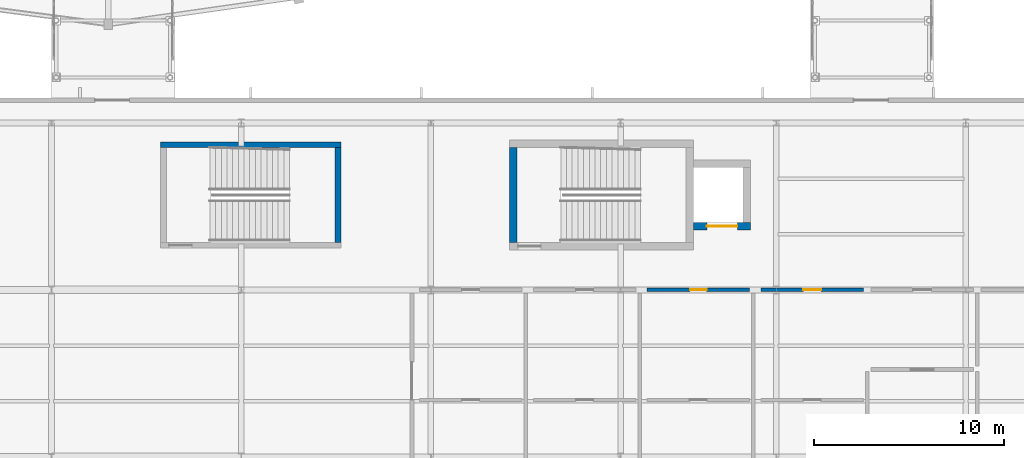
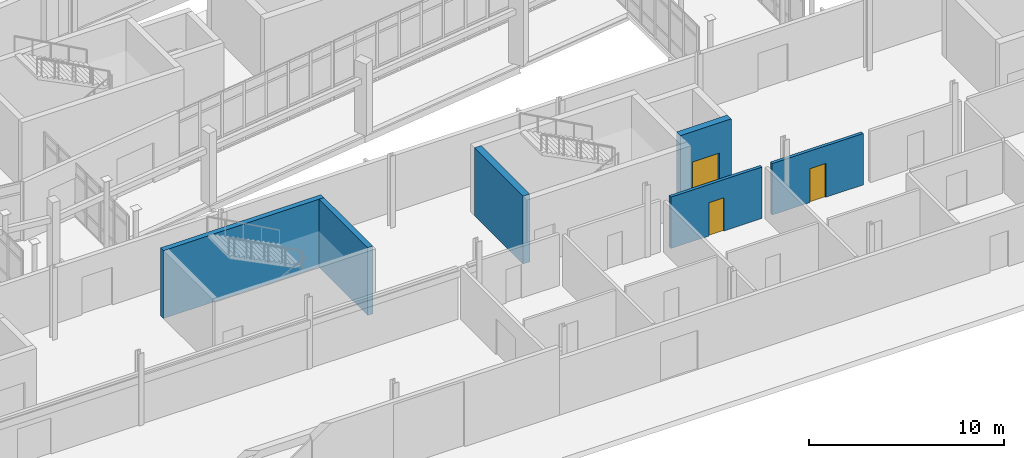
# One storey, part 101 of 122: 6 walls, 3 doors, 3 openings.
"""IFC4 building model written with IfcOpenShell, lengths in metres."""

from ifc_helpers import new_model, si_unit, direction, frame, frame_2d, origin, place, context, subcontext, project, spatial, rectangle, extrude, material, layer, layer_set, type_object, element, fill, save


model = new_model("IFC4")

# Units and contexts
model_context = context("Model", 3, precision=1e-05, world=origin(), true_north=direction((0.0, 1.0)))
body_context = subcontext(model_context, "Body", "Model", "MODEL_VIEW")
ifc_project = project(units=[si_unit("LENGTHUNIT", "METRE"), si_unit("AREAUNIT", "SQUARE_METRE"), si_unit("VOLUMEUNIT", "CUBIC_METRE"), si_unit("PLANEANGLEUNIT", "RADIAN"), si_unit("MASSUNIT", "GRAM", prefix="KILO")], contexts=[model_context])

# Site, building, storey
site_placement = place(None, origin())
site = spatial("IfcSite", under=ifc_project, at=site_placement, CompositionType="ELEMENT")
building_placement = place(site_placement, origin())
building = spatial("IfcBuilding", under=site, at=building_placement, Name="Sohan Crest Arena", CompositionType="ELEMENT")
storey_placement = place(building_placement, origin())
storey = spatial("IfcBuildingStorey", under=building, at=storey_placement, Name="L00", CompositionType="ELEMENT", Elevation=0.0)

# Wall, opening, door
ifc_material_1 = material(Name="Back-of-house masonry room partition", Category="masonry")
ifc_layer_1 = layer(ifc_material_1, 0.179931640625, Name="Back-of-house masonry room partition")
ifc_layer_set_1 = layer_set([ifc_layer_1], Name="Back-of-house masonry room partition")
wall_type_1 = type_object("IfcWallType", Name="WAL-PW05", PredefinedType="PARTITIONING", material=ifc_layer_set_1)
wall_1_placement = place(storey_placement, frame((126.39990234375, 16.0, 0.0), z_axis=(0.0, 0.0, 1.0), x_axis=(1.0, 0.0, 0.0)))
wall_1 = element("IfcWall", 1, at=wall_1_placement, inside=storey, type_object=wall_type_1, Name="Interior partition wall PW-0871", PredefinedType="PARTITIONING", context=body_context, shape_type="SweptSolid", body=[
    extrude(rectangle(XDim=5.400146484375, YDim=0.179931640625, at=frame_2d((2.7001953125, 0.0))), origin(), (0.0, 0.0, 1.0), 3.219970703125),
])
opening_1_placement = place(wall_1_placement, frame((2.260009765625, 0.0, 0.0)))
opening_1 = element("IfcOpeningElement", 2, at=opening_1_placement, cuts=wall_1, Name="Opening TD-0247", PredefinedType="OPENING", context=body_context, shape_type="SweptSolid", body=[
    extrude(rectangle(XDim=0.8798828125, YDim=2.080078125, at=frame_2d((0.43994140625, 1.0400390625))), frame((0.0, 0.099853515625, 0.0), z_axis=(0.0, -1.0, 0.0), x_axis=(1.0, 0.0, 0.0)), (0.0, 0.0, 1.0), 0.199951171875),
])
ifc_material_2 = material(Name="Solid oak acoustic room door", Category="wood")
door_type_1 = type_object("IfcDoorType", Name="DR-ID07", OperationType="NOTDEFINED", PredefinedType="DOOR", material=ifc_material_2)
door_1_placement = place(opening_1_placement, origin())
door_1 = element("IfcDoor", 3, at=door_1_placement, inside=storey, type_object=door_type_1, Name="Team dressing suite 3 door TD-0247", OperationType="SINGLE_SWING_LEFT", OverallHeight=2.080078125, OverallWidth=0.8798828125, PredefinedType="DOOR", context=body_context, shape_type="SweptSolid", body=[
    extrude(rectangle(XDim=0.8798828125, YDim=2.080078125, at=frame_2d((0.43994140625, 1.0400390625))), frame((0.0, 0.02490234375, 0.0), z_axis=(0.0, -1.0, 0.0), x_axis=(1.0, 0.0, 0.0)), (0.0, 0.0, 1.0), 0.050048828125),
])
fill(opening_1, door_1)

wall_2_placement = place(storey_placement, frame((132.39990234375, 16.0, 0.0), z_axis=(0.0, 0.0, 1.0), x_axis=(1.0, 0.0, 0.0)))
wall_2 = element("IfcWall", 4, at=wall_2_placement, inside=storey, type_object=wall_type_1, Name="Interior partition wall PW-0873", PredefinedType="PARTITIONING", context=body_context, shape_type="SweptSolid", body=[
    extrude(rectangle(XDim=5.400146484375, YDim=0.179931640625, at=frame_2d((2.7001953125, 0.0))), origin(), (0.0, 0.0, 1.0), 3.219970703125),
])
opening_2_placement = place(wall_2_placement, frame((2.22998046875, 0.0, 0.0)))
opening_2 = element("IfcOpeningElement", 5, at=opening_2_placement, cuts=wall_2, Name="Opening TD-0249", PredefinedType="OPENING", context=body_context, shape_type="SweptSolid", body=[
    extrude(rectangle(XDim=0.93994140625, YDim=2.1201171875, at=frame_2d((0.469970703125, 1.06005859375))), frame((0.0, 0.099853515625, 0.0), z_axis=(0.0, -1.0, 0.0), x_axis=(1.0, 0.0, 0.0)), (0.0, 0.0, 1.0), 0.199951171875),
])
door_type_2 = type_object("IfcDoorType", Name="DR-ID08", OperationType="NOTDEFINED", PredefinedType="DOOR", material=ifc_material_2)
door_2_placement = place(opening_2_placement, origin())
door_2 = element("IfcDoor", 6, at=door_2_placement, inside=storey, type_object=door_type_2, Name="Team dressing suite 4 door TD-0249", OperationType="SINGLE_SWING_LEFT", OverallHeight=2.1201171875, OverallWidth=0.93994140625, PredefinedType="DOOR", context=body_context, shape_type="SweptSolid", body=[
    extrude(rectangle(XDim=0.93994140625, YDim=2.1201171875, at=frame_2d((0.469970703125, 1.06005859375))), frame((0.0, 0.02490234375, 0.0), z_axis=(0.0, -1.0, 0.0), x_axis=(1.0, 0.0, 0.0)), (0.0, 0.0, 1.0), 0.050048828125),
])
fill(opening_2, door_2)

# Walls
ifc_material_3 = material(Name="Concrete C40/50", Category="concrete")
ifc_layer_2 = layer(ifc_material_3, 0.300048828125, Name="Concrete C40/50")
ifc_layer_set_2 = layer_set([ifc_layer_2], Name="Concrete C40/50")
wall_type_2 = type_object("IfcWallType", Name="WAL-SW01", PredefinedType="SHEAR", material=ifc_layer_set_2)
wall_3_placement = place(storey_placement, frame((110.10009765625, 18.5, 0.0), z_axis=(0.0, 0.0, 1.0), x_axis=(0.0, 1.0, 0.0)))
element("IfcWall", 7, at=wall_3_placement, inside=storey, type_object=wall_type_2, Name="Core shear wall SW-0512", PredefinedType="SHEAR", context=body_context, shape_type="SweptSolid", body=[
    extrude(rectangle(XDim=5.0, YDim=0.300048828125, at=frame_2d((2.5, 0.0))), origin(), (0.0, 0.0, 1.0), 4.25),
])
wall_4_placement = place(storey_placement, frame((100.75, 23.64990234375, 0.0), z_axis=(0.0, 0.0, 1.0), x_axis=(1.0, 0.0, 0.0)))
element("IfcWall", 8, at=wall_4_placement, inside=storey, type_object=wall_type_2, Name="Core shear wall SW-0514", PredefinedType="SHEAR", context=body_context, shape_type="SweptSolid", body=[
    extrude(rectangle(XDim=9.5, YDim=0.300048828125, at=frame_2d((4.75, 0.0))), origin(), (0.0, 0.0, 1.0), 4.25),
])
ifc_layer_3 = layer(ifc_material_3, 0.39990234375, Name="Concrete C40/50")
ifc_layer_set_3 = layer_set([ifc_layer_3], Name="Concrete C40/50")
wall_type_3 = type_object("IfcWallType", Name="WAL-SW03", PredefinedType="SHEAR", material=ifc_layer_set_3)
wall_5_placement = place(storey_placement, frame((119.35009765625, 18.5, 0.0), z_axis=(0.0, 0.0, 1.0), x_axis=(0.0, 1.0, 0.0)))
element("IfcWall", 9, at=wall_5_placement, inside=storey, type_object=wall_type_3, Name="Core shear wall SW-0698", PredefinedType="SHEAR", context=body_context, shape_type="SweptSolid", body=[
    extrude(rectangle(XDim=5.0, YDim=0.39990234375, at=frame_2d((2.5, 0.0))), origin(), (0.0, 0.0, 1.0), 4.25),
])

# Wall, opening, door
wall_6_placement = place(storey_placement, frame((128.85009765625, 19.35009765625, 0.0), z_axis=(0.0, 0.0, 1.0), x_axis=(1.0, 0.0, 0.0)))
wall_6 = element("IfcWall", 10, at=wall_6_placement, inside=storey, type_object=wall_type_3, Name="Core shear wall SW-0703", PredefinedType="SHEAR", context=body_context, shape_type="SweptSolid", body=[
    extrude(rectangle(XDim=3.0, YDim=0.39990234375, at=frame_2d((1.5, 0.0))), origin(), (0.0, 0.0, 1.0), 4.25),
])
opening_3_placement = place(wall_6_placement, frame((0.699951171875, 0.0, 0.0)))
opening_3 = element("IfcOpeningElement", 11, at=opening_3_placement, cuts=wall_6, Name="Opening LD-GF02-L00", PredefinedType="OPENING", context=body_context, shape_type="SweptSolid", body=[
    extrude(rectangle(XDim=1.60009765625, YDim=2.35009765625, at=frame_2d((0.800048828125, 1.175048828125))), frame((0.0, 0.2099609375, 0.0), z_axis=(0.0, -1.0, 0.0), x_axis=(1.0, 0.0, 0.0)), (0.0, 0.0, 1.0), 0.419921875),
])
ifc_material_4 = material(Name="Stainless steel goods lift landing door", Category="steel")
door_type_3 = type_object("IfcDoorType", Name="DR-LD03", OperationType="SLIDING_TO_LEFT", PredefinedType="DOOR", material=ifc_material_4)
door_3_placement = place(opening_3_placement, origin())
door_3 = element("IfcDoor", 12, at=door_3_placement, inside=storey, type_object=door_type_3, Name="Sliding lift landing door LD-GF02-L00", OperationType="SLIDING_TO_LEFT", OverallHeight=2.35009765625, OverallWidth=1.60009765625, PredefinedType="DOOR", context=body_context, shape_type="SweptSolid", body=[
    extrude(rectangle(XDim=1.60009765625, YDim=2.35009765625, at=frame_2d((0.800048828125, 1.175048828125))), frame((0.0, 0.02490234375, 0.0), z_axis=(0.0, -1.0, 0.0), x_axis=(1.0, 0.0, 0.0)), (0.0, 0.0, 1.0), 0.050048828125),
])
fill(opening_3, door_3)

save(model, "model.ifc")
